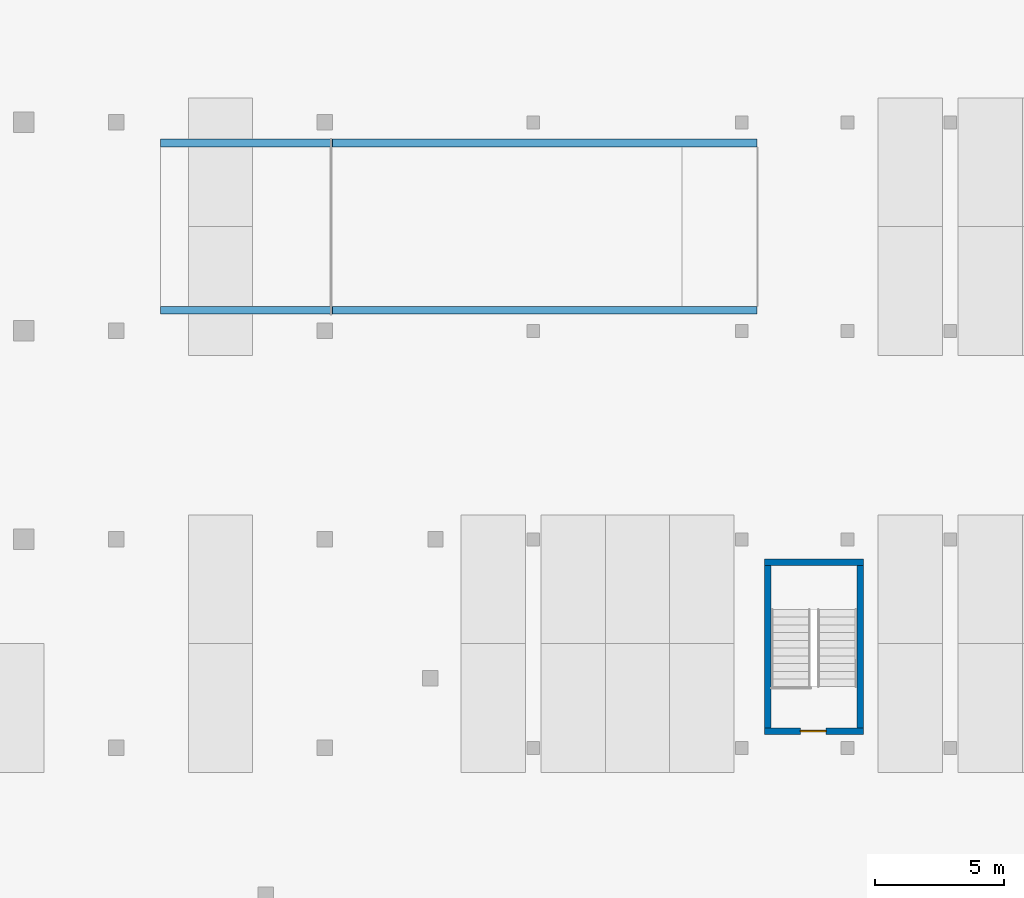
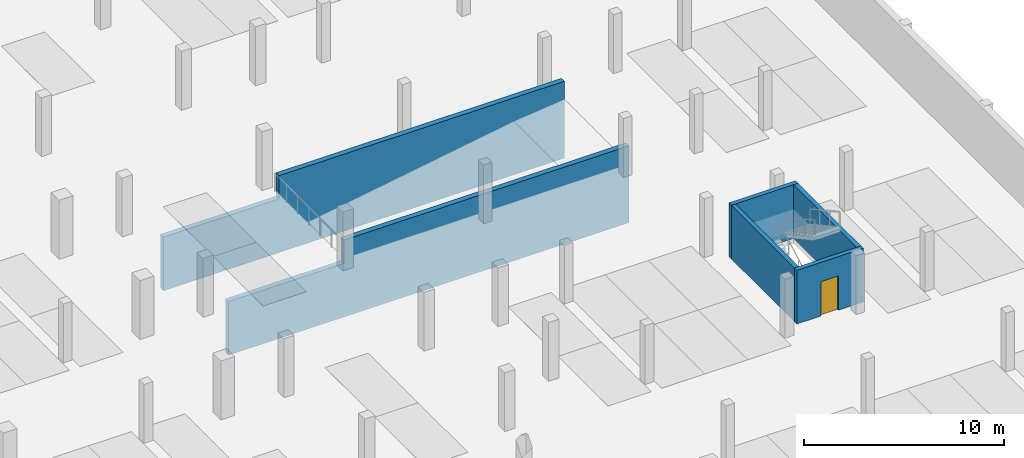
# One storey, part 8 of 14: 6 walls, 1 door, 1 opening.
"""IFC4 building model written with IfcOpenShell, lengths in metres."""

from ifc_helpers import new_model, si_unit, direction, frame, frame_2d, origin, place, context, subcontext, project, spatial, polyline, rectangle, outline, extrude, material, layer, layer_set, type_object, element, fill, save


model = new_model("IFC4")

# Units and contexts
model_context = context("Model", 3, precision=1e-05, world=origin(), true_north=direction((0.0, 1.0)))
body_context = subcontext(model_context, "Body", "Model", "MODEL_VIEW")
ifc_project = project(units=[si_unit("LENGTHUNIT", "METRE"), si_unit("AREAUNIT", "SQUARE_METRE"), si_unit("VOLUMEUNIT", "CUBIC_METRE"), si_unit("PLANEANGLEUNIT", "RADIAN"), si_unit("MASSUNIT", "GRAM", prefix="KILO")], contexts=[model_context])

# Site, building, storey
site_placement = place(None, origin())
site = spatial("IfcSite", under=ifc_project, at=site_placement, CompositionType="ELEMENT")
building_placement = place(site_placement, origin())
building = spatial("IfcBuilding", under=site, at=building_placement, Name="Torre Triforio", CompositionType="ELEMENT")
storey_placement = place(building_placement, frame((0.0, 0.0, -7.199951171875)))
storey = spatial("IfcBuildingStorey", under=building, at=storey_placement, Name="B2", CompositionType="ELEMENT", Elevation=-7.199951171875)

# Walls
ifc_material_1 = material(Name="Concrete C40", Category="concrete")
ifc_layer_1 = layer(ifc_material_1, 0.300048828125)
ifc_layer_set_1 = layer_set([ifc_layer_1], Name="Concrete C40")
wall_type_1 = type_object("IfcWallType", Name="Ramp side wall 300", PredefinedType="STANDARD", material=ifc_layer_set_1)
for number, where, z_axis, x_axis, name in (
    (1, (73.5, -15.39990234375, -3.60009765625), (0.0, 0.0, 1.0), (-1.0, 0.0, 0.0), "Car ramp B2 to B3 side wall"),
    (2, (73.5, -8.89990234375, -3.60009765625), (0.0, 0.0, 1.0), (-1.0, 0.0, 0.0), "Car ramp B2 to B3 side wall"),
):
    element("IfcWall", number, at=place(storey_placement, frame(where, z_axis=z_axis, x_axis=x_axis)), inside=storey, type_object=wall_type_1, Name=name, PredefinedType="STANDARD", context=body_context, shape_type="SweptSolid", body=[
        extrude(outline(polyline([(0.0, 0.0), (23.179931640625, 0.0), (23.179931640625, 3.280029296875), (16.501953125, 3.280029296875), (16.5, 4.699951171875), (0.0, 4.699951171875), (0.0, 0.0)])), frame((0.0, 0.14990234375, 0.0), z_axis=(0.0, -1.0, 0.0), x_axis=(1.0, 0.0, 0.0)), (0.0, 0.0, 1.0), 0.300048828125),
    ])

# Wall, opening, door
ifc_layer_2 = layer(ifc_material_1, 0.25)
ifc_layer_set_2 = layer_set([ifc_layer_2], Name="Concrete C40")
wall_type_2 = type_object("IfcWallType", Name="Stair enclosure wall 250 EI 120", PredefinedType="STANDARD", material=ifc_layer_set_2)
wall_1_placement = place(storey_placement, frame((73.77490234375, -31.75, 0.0), z_axis=(0.0, 0.0, 1.0), x_axis=(1.0, 0.0, 0.0)))
wall_1 = element("IfcWall", 3, at=wall_1_placement, inside=storey, type_object=wall_type_2, Name="Stair enclosure wall B2 009", PredefinedType="STANDARD", context=body_context, shape_type="SweptSolid", body=[
    extrude(rectangle(XDim=3.85009765625, YDim=0.25, at=frame_2d((1.925048828125, 0.0))), origin(), (0.0, 0.0, 1.0), 3.280029296875),
])
opening_placement = place(wall_1_placement, frame((1.39990234375, 0.0, 0.0)))
opening = element("IfcOpeningElement", 4, at=opening_placement, cuts=wall_1, Name="Opening BS2-03", PredefinedType="OPENING", context=body_context, shape_type="SweptSolid", body=[
    extrude(rectangle(XDim=1.0, YDim=2.10009765625, at=frame_2d((0.5, 1.050048828125))), frame((0.0, 0.135009765625, 0.0), z_axis=(0.0, -1.0, 0.0), x_axis=(1.0, 0.0, 0.0)), (0.0, 0.0, 1.0), 0.27001953125),
])
ifc_material_2 = material(Name="Hollow metal fire door leaf")
door_type = type_object("IfcDoorType", Name="Stair door 1000 x 2100 EI 90", OperationType="NOTDEFINED", PredefinedType="DOOR", material=ifc_material_2)
door_placement = place(opening_placement, origin())
door = element("IfcDoor", 5, at=door_placement, inside=storey, type_object=door_type, Name="Door BS2-03", OperationType="SINGLE_SWING_LEFT", OverallHeight=2.10009765625, OverallWidth=1.0, PredefinedType="DOOR", context=body_context, shape_type="SweptSolid", body=[
    extrude(rectangle(XDim=1.0, YDim=2.10009765625, at=frame_2d((0.5, 1.050048828125))), frame((0.0, 0.02490234375, 0.0), z_axis=(0.0, -1.0, 0.0), x_axis=(1.0, 0.0, 0.0)), (0.0, 0.0, 1.0), 0.050048828125),
])
fill(opening, door)

# Walls
wall_2_placement = place(storey_placement, frame((73.77490234375, -25.18994140625, 0.0), z_axis=(0.0, 0.0, 1.0), x_axis=(1.0, 0.0, 0.0)))
element("IfcWall", 6, at=wall_2_placement, inside=storey, type_object=wall_type_2, Name="Stair enclosure wall B2 010", PredefinedType="STANDARD", context=body_context, shape_type="SweptSolid", body=[
    extrude(rectangle(XDim=3.85009765625, YDim=0.25, at=frame_2d((1.925048828125, 0.0))), origin(), (0.0, 0.0, 1.0), 3.280029296875),
])
for number, where, z_axis, x_axis, name in (
    (7, (73.89990234375, -31.625, 0.0), (0.0, 0.0, 1.0), (0.0, 1.0, 0.0), "Stair enclosure wall B2 011"),
    (8, (77.5, -31.625, 0.0), (0.0, 0.0, 1.0), (0.0, 1.0, 0.0), "Stair enclosure wall B2 012"),
):
    element("IfcWall", number, at=place(storey_placement, frame(where, z_axis=z_axis, x_axis=x_axis)), inside=storey, type_object=wall_type_2, Name=name, PredefinedType="STANDARD", context=body_context, shape_type="SweptSolid", body=[
        extrude(rectangle(XDim=6.31005859375, YDim=0.25, at=frame_2d((3.155029296875, 0.0))), origin(), (0.0, 0.0, 1.0), 3.280029296875),
    ])

save(model, "model.ifc")
